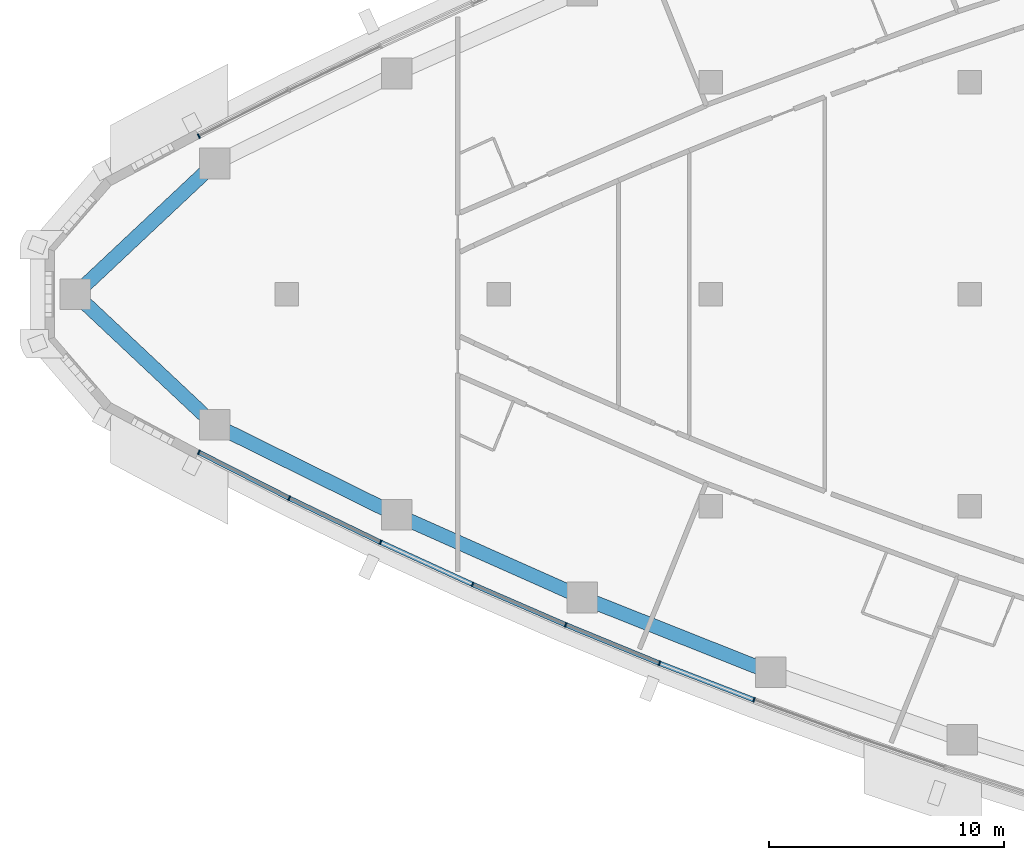
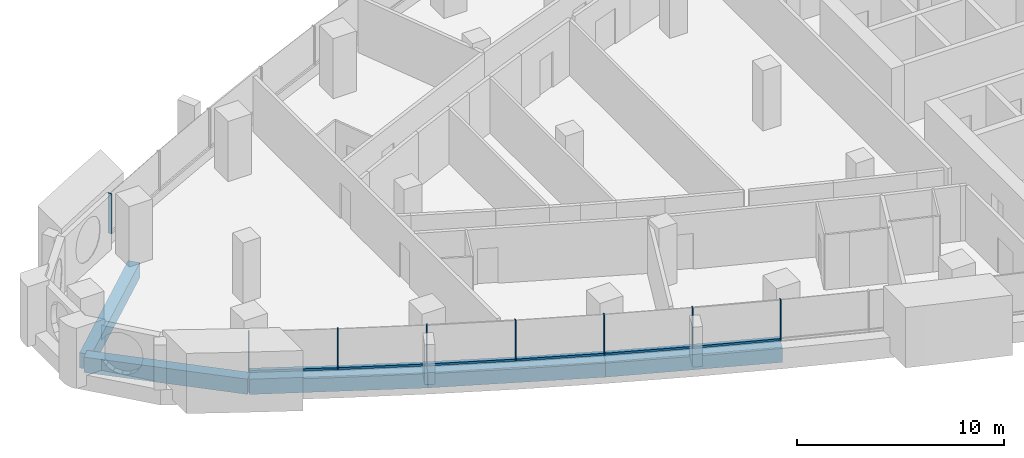
# One storey, part 2 of 17: 14 members, 5 beams, 4 elements without a shape of their own.
"""IFC4 building model written with IfcOpenShell, lengths in metres."""

from ifc_helpers import new_model, si_unit, direction, frame, origin, origin_2d, place, context, subcontext, project, spatial, rectangle, extrude, material, layer, layer_set, material_profile, profile_set, type_object, element, aggregate, save


model = new_model("IFC4")

# Units and contexts
model_context = context("Model", 3, precision=1e-05, world=origin(), true_north=direction((0.0, 1.0)))
body_context = subcontext(model_context, "Body", "Model", "MODEL_VIEW")
ifc_project = project(units=[si_unit("LENGTHUNIT", "METRE"), si_unit("AREAUNIT", "SQUARE_METRE"), si_unit("VOLUMEUNIT", "CUBIC_METRE"), si_unit("PLANEANGLEUNIT", "RADIAN"), si_unit("MASSUNIT", "GRAM", prefix="KILO")], contexts=[model_context])

# Site, building, storey
site_placement = place(None, origin())
site = spatial("IfcSite", under=ifc_project, at=site_placement, CompositionType="ELEMENT")
building_placement = place(site_placement, origin())
building = spatial("IfcBuilding", under=site, at=building_placement, Name="Ostrand Prow Hotel Tower", CompositionType="ELEMENT")
storey_placement = place(building_placement, frame((0.0, 0.0, 182.60009765625)))
storey = spatial("IfcBuildingStorey", under=building, at=storey_placement, Name="L45", CompositionType="ELEMENT", Elevation=182.60009765625)

# Beams
ifc_material_1 = material(Name="Concrete C60/75", Category="concrete")
ifc_material_profile_1 = material_profile(ifc_material_1, rectangle(XDim=0.60009765625, YDim=0.89990234375, at=origin_2d()), Name="RC 600x900")
ifc_profile_set_1 = profile_set([ifc_material_profile_1], Name="Concrete C60/75")
beam_type = type_object("IfcBeamType", Name="Edge beam 600x900 C60/75", PredefinedType="SPANDREL", material=ifc_profile_set_1)
beam_1_placement = place(storey_placement, frame((7.01708984375, 0.0, -0.75), z_axis=(0.728960507808, -0.684555752336, 0.0), x_axis=(0.684555752336, 0.728960507808, 0.0)))
element("IfcBeam", 1, at=beam_1_placement, inside=storey, type_object=beam_type, Name="Edge beam P-S1", PredefinedType="SPANDREL", context=body_context, shape_type="SweptSolid", body=[
    extrude(rectangle(XDim=0.60009765625, YDim=0.89990234375, at=origin_2d()), origin(), (0.0, 0.0, 1.0), 8.109619140625),
])
beam_2_placement = place(storey_placement, frame((12.9287109375, -5.551513671875, -0.75), z_axis=(0.896383774903, -0.443278837856, 0.0), x_axis=(0.443278837856, 0.896383774903, 0.0)))
element("IfcBeam", 2, at=beam_2_placement, inside=storey, type_object=beam_type, Name="Edge beam S1-S2", PredefinedType="SPANDREL", context=body_context, shape_type="SweptSolid", body=[
    extrude(rectangle(XDim=0.60009765625, YDim=0.89990234375, at=origin_2d()), origin(), (0.0, 0.0, 1.0), 8.62158203125),
])
for number, where, z_axis, x_axis, name in (
    (3, (20.656982421875, -9.373291015625, -0.75), (0.91364332073, -0.406516767779, 0.0), (0.406516767779, 0.91364332073, 0.0), "Edge beam S2-S3"),
    (4, (28.5341796875, -12.878173828125, -0.75), (0.929376173753, -0.36913402398, 0.0), (0.36913402398, 0.929376173753, 0.0), "Edge beam S3-S4"),
):
    element("IfcBeam", number, at=place(storey_placement, frame(where, z_axis=z_axis, x_axis=x_axis)), inside=storey, type_object=beam_type, Name=name, PredefinedType="SPANDREL", context=body_context, shape_type="SweptSolid", body=[
        extrude(rectangle(XDim=0.60009765625, YDim=0.89990234375, at=origin_2d()), origin(), (0.0, 0.0, 1.0), 8.621826171875),
    ])
beam_3_placement = place(storey_placement, frame((12.9287109375, 5.551513671875, -0.75), z_axis=(-0.728960507808, -0.684555752336, 0.0), x_axis=(0.684555752336, -0.728960507808, 0.0)))
element("IfcBeam", 5, at=beam_3_placement, inside=storey, type_object=beam_type, Name="Edge beam N6-P", PredefinedType="SPANDREL", context=body_context, shape_type="SweptSolid", body=[
    extrude(rectangle(XDim=0.60009765625, YDim=0.89990234375, at=origin_2d()), origin(), (0.0, 0.0, 1.0), 8.109619140625),
])

# Curtain wall, members
ifc_material_2 = material(Name="Insulated glass in bronze anodised frame", Category="glass")
ifc_layer = layer(ifc_material_2, 0.199951171875)
ifc_layer_set = layer_set([ifc_layer], Name="Insulated glass in bronze anodised frame")
curtain_wall_type = type_object("IfcCurtainWallType", Name="Strip curtain wall, fritted glass over bronze spandrel", PredefinedType="NOTDEFINED", material=ifc_layer_set)
curtain_wall_1_placement = place(storey_placement, origin())
curtain_wall_1 = element("IfcCurtainWall", 6, at=curtain_wall_1_placement, inside=storey, type_object=curtain_wall_type, Name="CW1 run CWS1", PredefinedType="NOTDEFINED")
ifc_material_3 = material(Name="Bronze anodised aluminium", Category="aluminium")
ifc_material_profile_2 = material_profile(ifc_material_3, rectangle(XDim=0.199951171875, YDim=0.06005859375, at=origin_2d()), Name="Mullion 60x200 bronze anodised aluminium")
ifc_profile_set_2 = profile_set([ifc_material_profile_2], Name="Bronze anodised aluminium")
member_type_1 = type_object("IfcMemberType", Name="Mullion 60x200 bronze anodised aluminium", PredefinedType="MULLION", material=ifc_profile_set_2)
member_1_placement = place(storey_placement, frame((12.255859375, -6.71240234375, 0.89990234375), z_axis=(0.0, 0.0, 1.0), x_axis=(0.452658828186, 0.891683792196, 0.0)))
member_1 = element("IfcMember", 7, at=member_1_placement, type_object=member_type_1, Name="CW1 mullion 1", PredefinedType="MULLION", context=body_context, shape_type="SweptSolid", body=[
    extrude(rectangle(XDim=0.199951171875, YDim=0.06005859375, at=origin_2d()), origin(), (0.0, 0.0, 1.0), 2.35009765625),
])
member_2_placement = place(storey_placement, frame((16.0947265625, -8.660888671875, 0.89990234375), z_axis=(0.0, 0.0, 1.0), x_axis=(0.434615027304, 0.90061633232, 0.0)))
member_2 = element("IfcMember", 8, at=member_2_placement, type_object=member_type_1, Name="CW1 mullion 2", PredefinedType="MULLION", context=body_context, shape_type="SweptSolid", body=[
    extrude(rectangle(XDim=0.199951171875, YDim=0.06005859375, at=origin_2d()), origin(), (0.0, 0.0, 1.0), 2.35009765625),
])
member_3_placement = place(storey_placement, frame((19.971923828125, -10.531982421875, 0.89990234375), z_axis=(0.0, 0.0, 1.0), x_axis=(0.434615027304, 0.90061633232, 0.0)))
member_3 = element("IfcMember", 9, at=member_3_placement, type_object=member_type_1, Name="CW1 mullion 3", PredefinedType="MULLION", context=body_context, shape_type="SweptSolid", body=[
    extrude(rectangle(XDim=0.199951171875, YDim=0.06005859375, at=origin_2d()), origin(), (0.0, 0.0, 1.0), 2.35009765625),
])

curtain_wall_2_placement = place(storey_placement, origin())
curtain_wall_2 = element("IfcCurtainWall", 10, at=curtain_wall_2_placement, inside=storey, type_object=curtain_wall_type, Name="CW1 run CWS2", PredefinedType="NOTDEFINED")
member_4_placement = place(storey_placement, frame((23.885986328125, -12.32470703125, 0.89990234375), z_axis=(0.0, 0.0, 1.0), x_axis=(0.398004671812, 0.917383388347, 0.0)))
member_4 = element("IfcMember", 11, at=member_4_placement, type_object=member_type_1, Name="CW1 mullion 2", PredefinedType="MULLION", context=body_context, shape_type="SweptSolid", body=[
    extrude(rectangle(XDim=0.199951171875, YDim=0.06005859375, at=origin_2d()), origin(), (0.0, 0.0, 1.0), 2.35009765625),
])
member_5_placement = place(storey_placement, frame((27.83544921875, -14.0380859375, 0.89990234375), z_axis=(0.0, 0.0, 1.0), x_axis=(0.398004671812, 0.917383388347, 0.0)))
member_5 = element("IfcMember", 12, at=member_5_placement, type_object=member_type_1, Name="CW1 mullion 3", PredefinedType="MULLION", context=body_context, shape_type="SweptSolid", body=[
    extrude(rectangle(XDim=0.199951171875, YDim=0.06005859375, at=origin_2d()), origin(), (0.0, 0.0, 1.0), 2.35009765625),
])

curtain_wall_3_placement = place(storey_placement, origin())
curtain_wall_3 = element("IfcCurtainWall", 13, at=curtain_wall_3_placement, inside=storey, type_object=curtain_wall_type, Name="CW1 run CWS3", PredefinedType="NOTDEFINED")
member_6_placement = place(storey_placement, frame((31.818603515625, -15.671630859375, 0.89990234375), z_axis=(0.0, 0.0, 1.0), x_axis=(0.360748970732, 0.932662950972, 0.0)))
member_6 = element("IfcMember", 14, at=member_6_placement, type_object=member_type_1, Name="CW1 mullion 2", PredefinedType="MULLION", context=body_context, shape_type="SweptSolid", body=[
    extrude(rectangle(XDim=0.199951171875, YDim=0.06005859375, at=origin_2d()), origin(), (0.0, 0.0, 1.0), 2.35009765625),
])
member_7_placement = place(storey_placement, frame((35.833740234375, -17.224609375, 0.89990234375), z_axis=(0.0, 0.0, 1.0), x_axis=(0.360748970732, 0.932662950972, 0.0)))
member_7 = element("IfcMember", 15, at=member_7_placement, type_object=member_type_1, Name="CW1 mullion 3", PredefinedType="MULLION", context=body_context, shape_type="SweptSolid", body=[
    extrude(rectangle(XDim=0.199951171875, YDim=0.06005859375, at=origin_2d()), origin(), (0.0, 0.0, 1.0), 2.35009765625),
])

# Curtain wall, member
curtain_wall_4_placement = place(storey_placement, origin())
curtain_wall_4 = element("IfcCurtainWall", 16, at=curtain_wall_4_placement, inside=storey, type_object=curtain_wall_type, Name="CW1 run CWN5", PredefinedType="NOTDEFINED")
member_8_placement = place(storey_placement, frame((12.255859375, 6.71240234375, 0.89990234375), z_axis=(0.0, 0.0, 1.0), x_axis=(0.452658828186, -0.891683792196, 0.0)))
member_8 = element("IfcMember", 17, at=member_8_placement, type_object=member_type_1, Name="CW1 mullion 3", PredefinedType="MULLION", context=body_context, shape_type="SweptSolid", body=[
    extrude(rectangle(XDim=0.199951171875, YDim=0.06005859375, at=origin_2d()), origin(), (0.0, 0.0, 1.0), 2.35009765625),
])
aggregate(curtain_wall_4, [member_8])

# Member
ifc_material_4 = material(Name="Bronze anodised aluminium", Category="aluminium")
ifc_material_profile_3 = material_profile(ifc_material_4, rectangle(XDim=0.199951171875, YDim=0.1201171875, at=origin_2d()), Name="Transom 120x200 bronze anodised aluminium")
ifc_profile_set_3 = profile_set([ifc_material_profile_3], Name="Bronze anodised aluminium")
member_type_2 = type_object("IfcMemberType", Name="Transom 120x200 bronze anodised aluminium", PredefinedType="USERDEFINED", material=ifc_profile_set_3)
member_9_placement = place(storey_placement, frame((12.28271484375, -6.725830078125, 0.9599609375), z_axis=(0.891672840777, -0.452680400526, 0.0), x_axis=(0.452680400526, 0.891672840777, 0.0)))
member_9 = element("IfcMember", 18, at=member_9_placement, type_object=member_type_2, Name="CW1 transom 1.1", ObjectType="TRANSOM", PredefinedType="USERDEFINED", context=body_context, shape_type="SweptSolid", body=[
    extrude(rectangle(XDim=0.199951171875, YDim=0.1201171875, at=origin_2d()), origin(), (0.0, 0.0, 1.0), 4.2451171875),
])

member_10_placement = place(storey_placement, frame((16.12158203125, -8.674072265625, 0.9599609375), z_axis=(0.900619174345, -0.434609137965, 0.0), x_axis=(0.434609137965, 0.900619174345, 0.0)))
member_10 = element("IfcMember", 19, at=member_10_placement, type_object=member_type_2, Name="CW1 transom 2.1", ObjectType="TRANSOM", PredefinedType="USERDEFINED", context=body_context, shape_type="SweptSolid", body=[
    extrude(rectangle(XDim=0.199951171875, YDim=0.1201171875, at=origin_2d()), origin(), (0.0, 0.0, 1.0), 4.2451171875),
])

aggregate(curtain_wall_1, [member_1, member_2, member_3, member_9, member_10])

member_11_placement = place(storey_placement, frame((19.999267578125, -10.54443359375, 0.9599609375), z_axis=(0.909159196143, -0.416448743628, 0.0), x_axis=(0.416448743628, 0.909159196143, 0.0)))
member_11 = element("IfcMember", 20, at=member_11_placement, type_object=member_type_2, Name="CW1 transom 1.1", ObjectType="TRANSOM", PredefinedType="USERDEFINED", context=body_context, shape_type="SweptSolid", body=[
    extrude(rectangle(XDim=0.199951171875, YDim=0.1201171875, at=origin_2d()), origin(), (0.0, 0.0, 1.0), 4.244873046875),
])

member_12_placement = place(storey_placement, frame((23.91357421875, -12.336669921875, 0.9599609375), z_axis=(0.917389785482, -0.397989926371, 0.0), x_axis=(0.397989926371, 0.917389785482, 0.0)))
member_12 = element("IfcMember", 21, at=member_12_placement, type_object=member_type_2, Name="CW1 transom 2.1", ObjectType="TRANSOM", PredefinedType="USERDEFINED", context=body_context, shape_type="SweptSolid", body=[
    extrude(rectangle(XDim=0.199951171875, YDim=0.1201171875, at=origin_2d()), origin(), (0.0, 0.0, 1.0), 4.244873046875),
])

aggregate(curtain_wall_2, [member_4, member_5, member_11, member_12])

member_13_placement = place(storey_placement, frame((27.863037109375, -14.049560546875, 0.9599609375), z_axis=(0.925213143858, -0.379447807258, 0.0), x_axis=(0.379447807258, 0.925213143858, 0.0)))
member_13 = element("IfcMember", 22, at=member_13_placement, type_object=member_type_2, Name="CW1 transom 1.1", ObjectType="TRANSOM", PredefinedType="USERDEFINED", context=body_context, shape_type="SweptSolid", body=[
    extrude(rectangle(XDim=0.199951171875, YDim=0.1201171875, at=origin_2d()), origin(), (0.0, 0.0, 1.0), 4.2451171875),
])

member_14_placement = place(storey_placement, frame((31.846435546875, -15.6826171875, 0.9599609375), z_axis=(0.932675482501, -0.360716570651, 0.0), x_axis=(0.360716570651, 0.932675482501, 0.0)))
member_14 = element("IfcMember", 23, at=member_14_placement, type_object=member_type_2, Name="CW1 transom 2.1", ObjectType="TRANSOM", PredefinedType="USERDEFINED", context=body_context, shape_type="SweptSolid", body=[
    extrude(rectangle(XDim=0.199951171875, YDim=0.1201171875, at=origin_2d()), origin(), (0.0, 0.0, 1.0), 4.2451171875),
])

aggregate(curtain_wall_3, [member_6, member_7, member_13, member_14])

save(model, "model.ifc")
